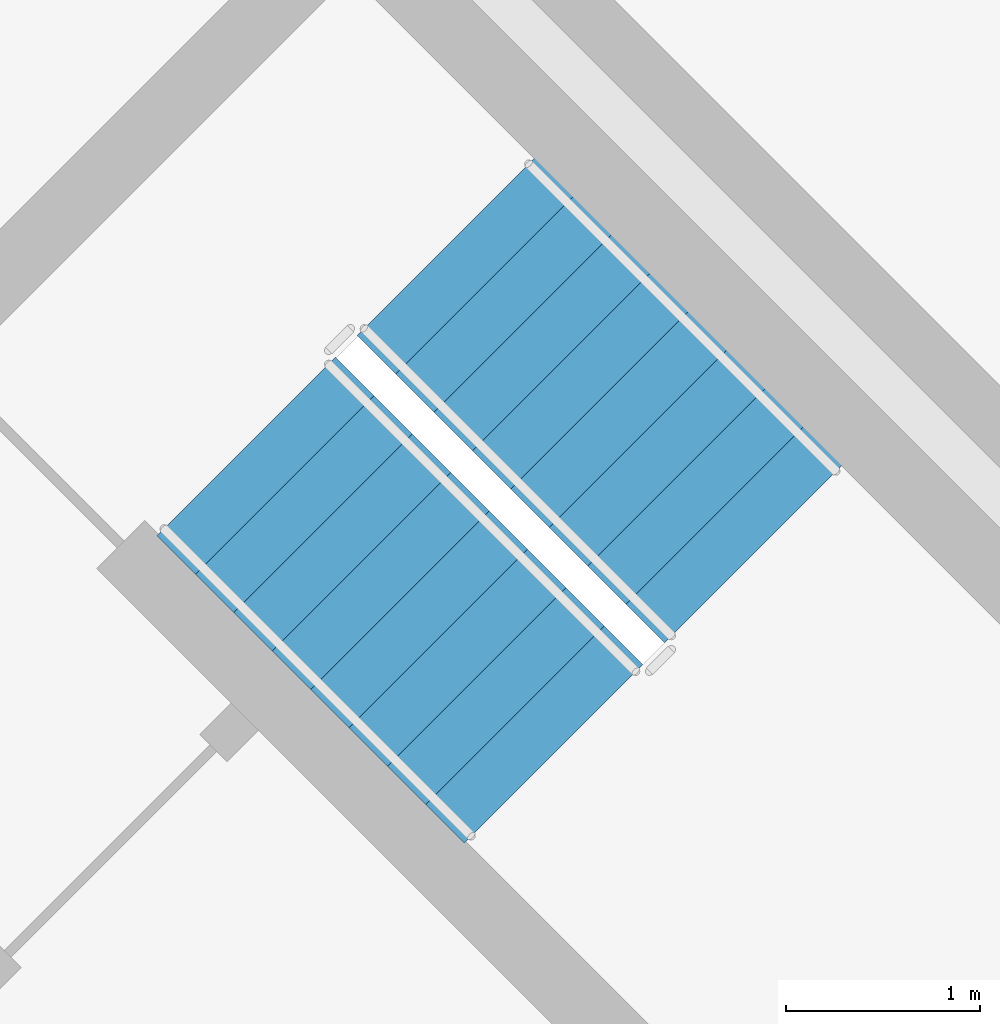
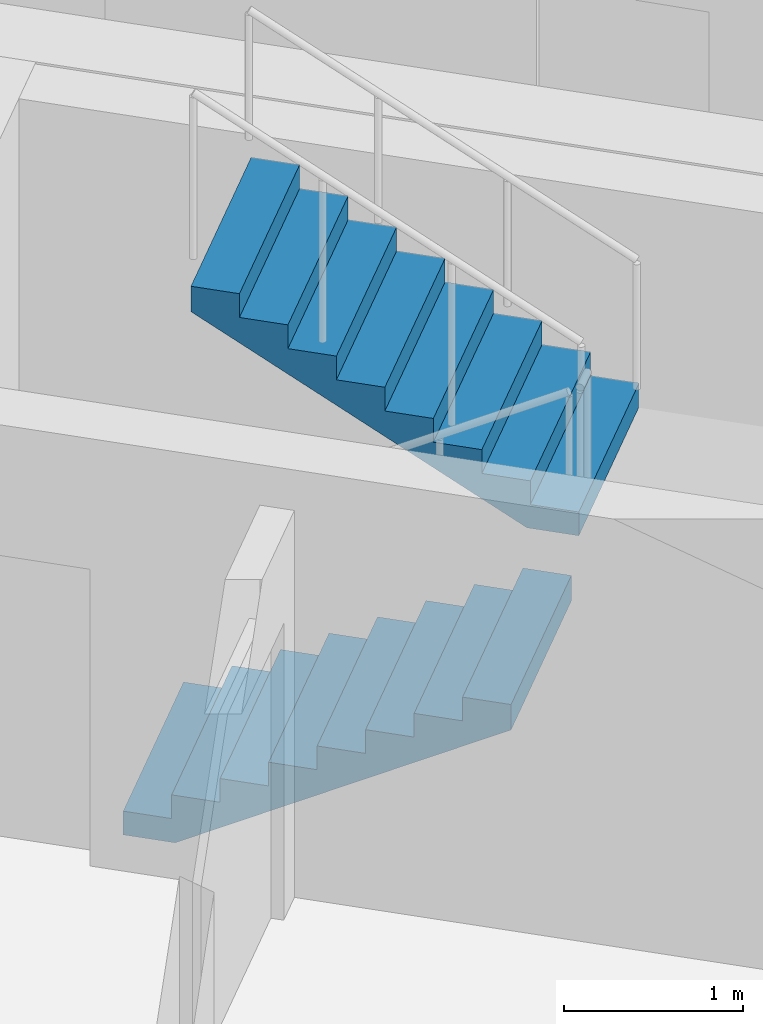
# One storey, part 16 of 19: 2 stair flights, 1 element without a shape of its own.
"""IFC4 building model written with IfcOpenShell, lengths in metres."""

from ifc_helpers import new_model, si_unit, direction, frame, origin, place, context, subcontext, project, spatial, polyline, outline, extrude, material, type_object, element, aggregate, save


model = new_model("IFC4")

# Units and contexts
model_context = context("Model", 3, precision=1e-05, world=origin(), true_north=direction((0.0, 1.0)))
body_context = subcontext(model_context, "Body", "Model", "MODEL_VIEW")
ifc_project = project(units=[si_unit("LENGTHUNIT", "METRE"), si_unit("AREAUNIT", "SQUARE_METRE"), si_unit("VOLUMEUNIT", "CUBIC_METRE"), si_unit("PLANEANGLEUNIT", "RADIAN"), si_unit("MASSUNIT", "GRAM", prefix="KILO")], contexts=[model_context])

# Site, building, storey
site_placement = place(None, origin())
site = spatial("IfcSite", under=ifc_project, at=site_placement, CompositionType="ELEMENT")
building_placement = place(site_placement, origin())
building = spatial("IfcBuilding", under=site, at=building_placement, Name="Cununo Teusaquillo Station Towers", CompositionType="ELEMENT")
storey_placement = place(building_placement, frame((0.0, 0.0, 42.3701171875)))
storey = spatial("IfcBuildingStorey", under=building, at=storey_placement, Name="L12", CompositionType="ELEMENT", Elevation=42.3701171875)

# Stair, stair flights
ifc_material_1 = material(Name="Concrete C50/60", Category="concrete")
stair_type = type_object("IfcStairType", Name="ST-TWR-1300", PredefinedType="HALF_TURN_STAIR", material=ifc_material_1)
stair_placement = place(storey_placement, origin())
stair = element("IfcStair", 1, at=stair_placement, inside=storey, type_object=stair_type, Name="L12 Tower B Protected Core Exit Stair 2", PredefinedType="HALF_TURN_STAIR")
ifc_material_2 = material(Name="Concrete C50/60", Category="concrete")
stair_flight_type = type_object("IfcStairFlightType", Name="SFL-TWR-1300", PredefinedType="STRAIGHT", material=ifc_material_2)
stair_flight_1_placement = place(storey_placement, frame((60.54052734375, 25.1787109375, 0.0), z_axis=(0.0, 0.0, 1.0), x_axis=(0.707106781187, -0.707106781187, 0.0)))
stair_flight_1 = element("IfcStairFlight", 2, at=stair_flight_1_placement, type_object=stair_flight_type, Name="ST-T2-2 flight 1", NumberOfRisers=9, NumberOfTreads=8, PredefinedType="STRAIGHT", RiserHeight=0.161666667, TreadLength=0.28, context=body_context, shape_type="SweptSolid", body=[
    extrude(outline(polyline([(0.0, 0.0), (0.0, 0.16162109375), (0.280029296875, 0.16162109375), (0.280029296875, 0.3232421875), (0.56005859375, 0.3232421875), (0.56005859375, 0.485107421875), (0.840087890625, 0.485107421875), (0.840087890625, 0.646728515625), (1.1201171875, 0.646728515625), (1.1201171875, 0.808349609375), (1.39990234375, 0.808349609375), (1.39990234375, 0.969970703125), (1.679931640625, 0.969970703125), (1.679931640625, 1.131591796875), (1.9599609375, 1.131591796875), (1.9599609375, 1.293212890625), (2.239990234375, 1.293212890625), (2.239990234375, 1.455078125), (2.239990234375, 1.1201171875), (0.2998046875, 0.0), (0.0, 0.0)])), frame((0.0, 0.64990234375, 0.0), z_axis=(0.0, -1.0, 0.0), x_axis=(1.0, 0.0, 0.0)), (0.0, 0.0, 1.0), 1.300048828125),
])
stair_flight_2_placement = place(storey_placement, frame((63.15673828125, 24.627197265625, 1.454833984375), z_axis=(0.0, 0.0, 1.0), x_axis=(-0.707106781187, 0.707106781187, 0.0)))
stair_flight_2 = element("IfcStairFlight", 3, at=stair_flight_2_placement, type_object=stair_flight_type, Name="ST-T2-2 flight 2", NumberOfRisers=9, NumberOfTreads=8, PredefinedType="STRAIGHT", RiserHeight=0.161666667, TreadLength=0.28, context=body_context, shape_type="SweptSolid", body=[
    extrude(outline(polyline([(0.0, 0.0), (0.0, 0.16162109375), (0.280029296875, 0.16162109375), (0.280029296875, 0.3232421875), (0.56005859375, 0.3232421875), (0.56005859375, 0.485107421875), (0.840087890625, 0.485107421875), (0.840087890625, 0.646728515625), (1.1201171875, 0.646728515625), (1.1201171875, 0.808349609375), (1.39990234375, 0.808349609375), (1.39990234375, 0.969970703125), (1.679931640625, 0.969970703125), (1.679931640625, 1.131591796875), (1.9599609375, 1.131591796875), (1.9599609375, 1.293212890625), (2.239990234375, 1.293212890625), (2.239990234375, 1.455078125), (2.239990234375, 1.1201171875), (0.2998046875, 0.0), (0.0, 0.0)])), frame((0.0, 0.64990234375, 0.0), z_axis=(0.0, -1.0, 0.0), x_axis=(1.0, 0.0, 0.0)), (0.0, 0.0, 1.0), 1.300048828125),
])
aggregate(stair, [stair_flight_1, stair_flight_2])

save(model, "model.ifc")
